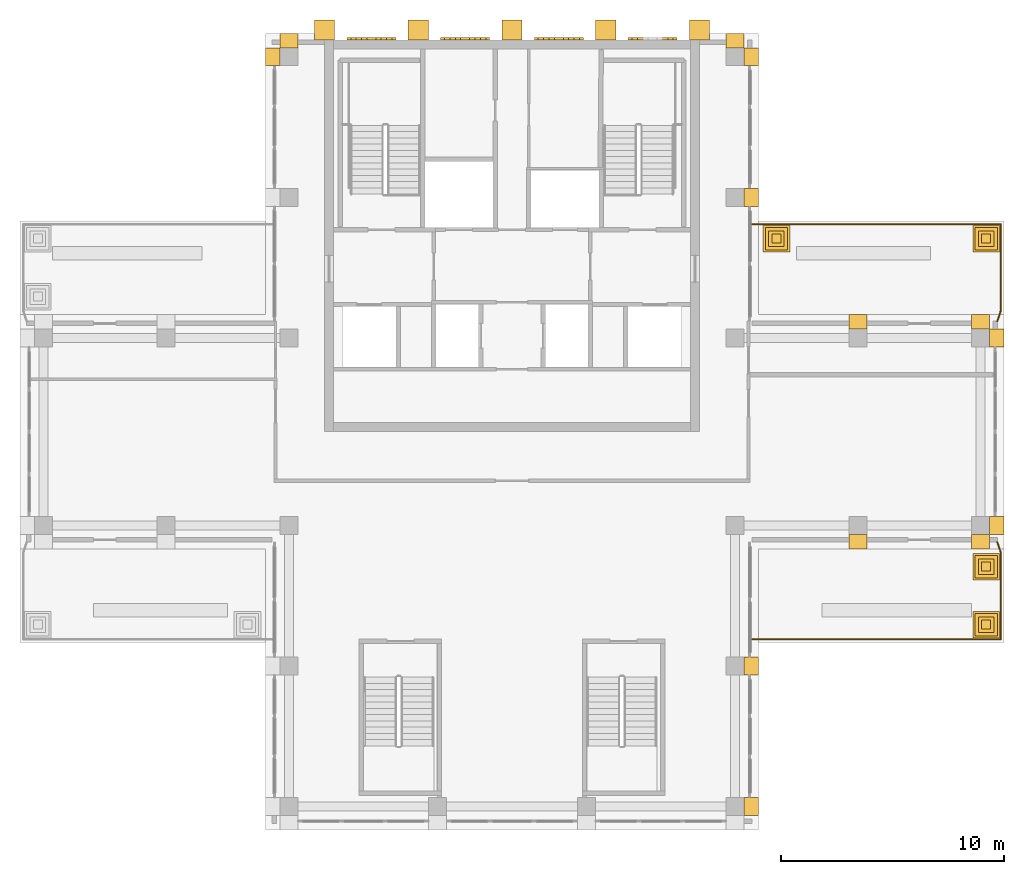
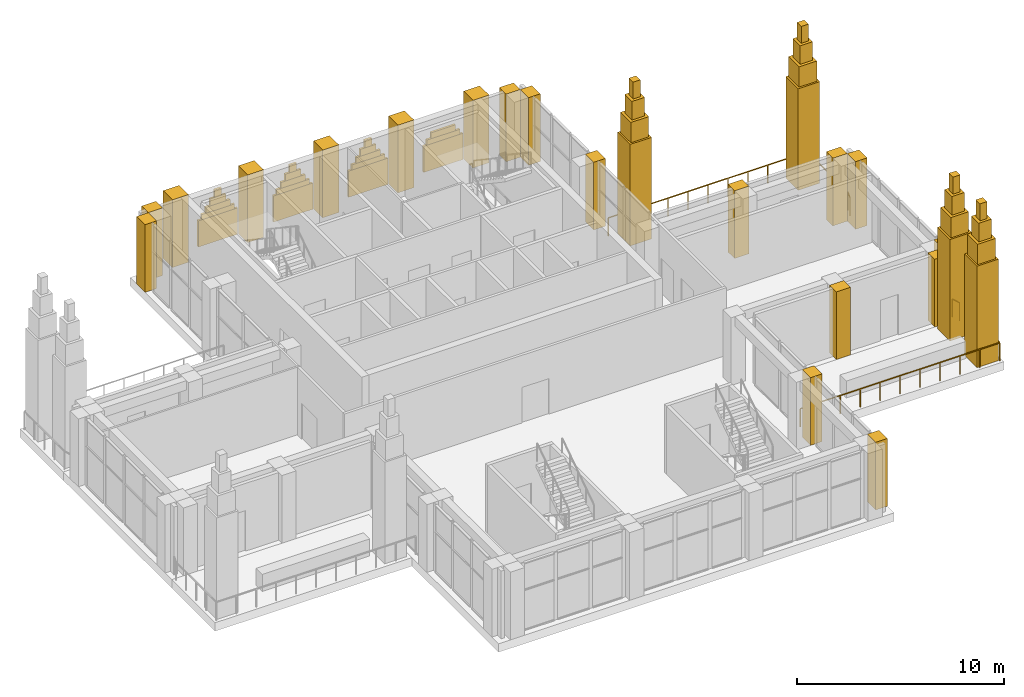
# One storey, part 13 of 14: 52 coverings, 6 railings.
"""IFC4 building model written with IfcOpenShell, lengths in metres."""

import ifcopenshell
import ifcopenshell.guid

model = None  # the IFC model being written
_history = None  # IfcOwnerHistory: only IFC2X3 demands one
_inside = {}  # id of a spatial element -> (the spatial element, [elements in it])
_under = {}  # id of a project, library or spatial element -> (it, [spatial elements below it])
_declared = {}  # id of a project -> (the project, [libraries it declares])
_typed = {}  # id of a type object -> (the type object, [elements of that type])
_made_of = {}  # id of a material, layer set ... -> (it, [elements and type objects made of it])


def new_model(schema):
    """Start an empty IFC model of exactly this schema.

    Asked for "IFC4X3", IfcOpenShell would pick the latest addendum, in which some entities
    have other attributes; the version numbers below select the first issue.
    IFC2X3 requires an IfcOwnerHistory on every rooted entity: one is made here for all.
    """
    global model, _history
    if schema == "IFC4X3":
        model = ifcopenshell.file(schema_version=(4, 3, 0, 0))
    else:
        model = ifcopenshell.file(schema=schema)
    _inside.clear()
    _under.clear()
    _declared.clear()
    _typed.clear()
    _made_of.clear()
    _history = None
    if model.schema == "IFC2X3":
        org = make("IfcOrganization", Name="unknown")
        user = make(
            "IfcPersonAndOrganization",
            ThePerson=make("IfcPerson", FamilyName="unknown"),
            TheOrganization=org,
        )
        app = make(
            "IfcApplication",
            ApplicationDeveloper=org,
            Version="unknown",
            ApplicationFullName="unknown",
            ApplicationIdentifier="unknown",
        )
        _history = make(
            "IfcOwnerHistory",
            OwningUser=user,
            OwningApplication=app,
            ChangeAction="ADDED",
            CreationDate=0,
        )
    return model


def make(cls, **values):
    """One entity of the class cls with the attributes given. An attribute that is None is left unset."""
    return model.create_entity(
        cls, **{name: value for name, value in values.items() if value is not None}
    )


def rooted(cls, **values):
    """An entity with a GlobalId (a new one), such as an element, a storey or a relation."""
    return make(cls, GlobalId=ifcopenshell.guid.new(), OwnerHistory=_history, **values)


def si_unit(unit_type, name, prefix=None):
    """IfcSIUnit, for example si_unit("LENGTHUNIT", "METRE", prefix="MILLI")."""
    return make("IfcSIUnit", UnitType=unit_type, Prefix=prefix, Name=name)


def assignment(units):
    """IfcUnitAssignment: the units of a project."""
    return None if units is None else make("IfcUnitAssignment", Units=units)


def point(xyz):
    """IfcCartesianPoint."""
    return None if xyz is None else make("IfcCartesianPoint", Coordinates=xyz)


def direction(xyz):
    """IfcDirection."""
    return None if xyz is None else make("IfcDirection", DirectionRatios=xyz)


def frame(location, z_axis=None, x_axis=None):
    """IfcAxis2Placement3D, a coordinate frame: its origin and axes. An axis left out is left unset."""
    return make(
        "IfcAxis2Placement3D",
        Location=point(location),
        Axis=direction(z_axis),
        RefDirection=direction(x_axis),
    )


def frame_2d(location, x_axis=None):
    """IfcAxis2Placement2D, a coordinate frame in the plane: its origin and x axis."""
    return make(
        "IfcAxis2Placement2D", Location=point(location), RefDirection=direction(x_axis)
    )


def origin():
    """The frame at (0, 0, 0) with its axes left unset."""
    return frame((0.0, 0.0, 0.0))


def origin_2d():
    """The frame at (0, 0) in the plane with its x axis left unset."""
    return frame_2d((0.0, 0.0))


def place(relative_to, where):
    """IfcLocalPlacement: puts the frame where relative to a parent placement (None: the world)."""
    return make(
        "IfcLocalPlacement", PlacementRelTo=relative_to, RelativePlacement=where
    )


def context(
    kind, dimensions, precision=None, world=None, true_north=None, identifier=None
):
    """IfcGeometricRepresentationContext, for example the 3D "Model" context."""
    return make(
        "IfcGeometricRepresentationContext",
        ContextIdentifier=identifier,
        ContextType=kind,
        CoordinateSpaceDimension=dimensions,
        Precision=precision,
        WorldCoordinateSystem=world,
        TrueNorth=true_north,
    )


def subcontext(parent, identifier, kind, view, scale=None):
    """IfcGeometricRepresentationSubContext, for example "Body" below "Model"."""
    return make(
        "IfcGeometricRepresentationSubContext",
        ContextIdentifier=identifier,
        ContextType=kind,
        ParentContext=parent,
        TargetScale=scale,
        TargetView=view,
    )


def project(units=None, contexts=None):
    """IfcProject with its units and contexts."""
    return rooted(
        "IfcProject",
        Name="project",
        RepresentationContexts=contexts,
        UnitsInContext=assignment(units),
    )


def spatial(cls, under=None, at=None, **own):
    """A site, building, storey or space (cls), placed at a placement, below another one or the project."""
    s = rooted(cls, ObjectPlacement=at, **own)
    if under is not None:
        _under.setdefault(under.id(), (under, []))[1].append(s)
    return s


def polyline(points):
    """IfcPolyline through the points."""
    return make("IfcPolyline", Points=[point(p) for p in points])


def profile(cls, at=None, kind="AREA", **sizes):
    """A parametric profile (cls). Its sizes go by their IFC names, for example OverallWidth=200.0."""
    return make(cls, ProfileType=kind, Position=at, **sizes)


def rectangle(**sizes):
    """IfcRectangleProfileDef."""
    return profile("IfcRectangleProfileDef", **sizes)


def outline(outer, holes=None, kind="AREA"):
    """IfcArbitraryClosedProfileDef: a profile drawn as a closed curve; with holes, ...WithVoids."""
    if holes is None:
        return make("IfcArbitraryClosedProfileDef", ProfileType=kind, OuterCurve=outer)
    return make(
        "IfcArbitraryProfileDefWithVoids",
        ProfileType=kind,
        OuterCurve=outer,
        InnerCurves=holes,
    )


def extrude(swept, where, along, depth):
    """IfcExtrudedAreaSolid: the profile swept, set in the frame where, extruded along a direction by depth."""
    return make(
        "IfcExtrudedAreaSolid",
        SweptArea=swept,
        Position=where,
        ExtrudedDirection=direction(along),
        Depth=depth,
    )


def shape(context_of_items, identifier, shape_type, items):
    """IfcShapeRepresentation: the items that make up one representation, for example the "Body"."""
    return make(
        "IfcShapeRepresentation",
        ContextOfItems=context_of_items,
        RepresentationIdentifier=identifier,
        RepresentationType=shape_type,
        Items=items,
    )


def material(Name=None, Category=None):
    """IfcMaterial."""
    return make("IfcMaterial", Name=Name, Category=Category)


def made_of(thing, what):
    """Note that an element or type object is made of a material, layer set ...; save() writes the relation."""
    if what is not None:
        _made_of.setdefault(what.id(), (what, []))[1].append(thing)
    return thing


def type_object(cls, material=None, **own):
    """A type object (cls), such as IfcWallType, which elements share."""
    return made_of(rooted(cls, **own), material)


def element(
    cls,
    number,
    at=None,
    inside=None,
    cuts=None,
    type_object=None,
    material=None,
    context=None,
    identifier="Body",
    shape_type=None,
    held_by="IfcProductDefinitionShape",
    body=None,
    shapes=None,
    **own,
):
    """One element of the class cls, such as IfcWall. Its Tag is "e" and its number.

    at: its placement. inside: the storey or other place that contains it. cuts: it is an
    opening in that element (IfcRelVoidsElement). A single representation is given by context,
    identifier, shape_type and body (its items); several are given by shapes. held_by: the class
    of the entity that holds the representations. save() writes the other relations.
    """
    e = rooted(cls, Tag="e%d" % number, ObjectPlacement=at, **own)
    if body is not None:
        shapes = [shape(context, identifier, shape_type, body)]
    if shapes is not None:
        e.Representation = make(held_by, Representations=shapes)
    if inside is not None:
        _inside.setdefault(inside.id(), (inside, []))[1].append(e)
    if cuts is not None:
        rooted(
            "IfcRelVoidsElement", RelatingBuildingElement=cuts, RelatedOpeningElement=e
        )
    if type_object is not None:
        _typed.setdefault(type_object.id(), (type_object, []))[1].append(e)
    return made_of(e, material)


def aggregate(whole, parts):
    """IfcRelAggregates: a whole, such as a stair, and the parts it consists of."""
    return rooted("IfcRelAggregates", RelatingObject=whole, RelatedObjects=parts)


def save(model, path):
    """Write the relations noted so far, then the file.

    IfcRelAggregates (storeys below a building ...), IfcRelContainedInSpatialStructure (elements
    in a storey), IfcRelDefinesByType, IfcRelAssociatesMaterial and IfcRelDeclares: one each for
    every whole, place, type object, material and project.
    """
    for whole, parts in _under.values():
        aggregate(whole, parts)
    for where, things in _inside.values():
        rooted(
            "IfcRelContainedInSpatialStructure",
            RelatedElements=things,
            RelatingStructure=where,
        )
    for kind, things in _typed.values():
        rooted("IfcRelDefinesByType", RelatedObjects=things, RelatingType=kind)
    for what, things in _made_of.values():
        rooted("IfcRelAssociatesMaterial", RelatedObjects=things, RelatingMaterial=what)
    for by, libraries in _declared.values():
        rooted("IfcRelDeclares", RelatingContext=by, RelatedDefinitions=libraries)
    model.write(path)


model = new_model("IFC4")

# Units and contexts
model_context = context("Model", 3, precision=1e-05, world=origin(), true_north=direction((0.0, 1.0)))
body_context = subcontext(model_context, "Body", "Model", "MODEL_VIEW")
ifc_project = project(units=[si_unit("LENGTHUNIT", "METRE"), si_unit("AREAUNIT", "SQUARE_METRE"), si_unit("VOLUMEUNIT", "CUBIC_METRE"), si_unit("PLANEANGLEUNIT", "RADIAN"), si_unit("MASSUNIT", "GRAM", prefix="KILO")], contexts=[model_context])

# Site, building, storey
site_placement = place(None, origin())
site = spatial("IfcSite", under=ifc_project, at=site_placement, CompositionType="ELEMENT")
building_placement = place(site_placement, origin())
building = spatial("IfcBuilding", under=site, at=building_placement, Name="Vermilion Ogive Tower", CompositionType="ELEMENT")
storey_placement = place(building_placement, frame((0.0, 0.0, 284.85009765625)))
storey = spatial("IfcBuildingStorey", under=building, at=storey_placement, Name="L74", CompositionType="ELEMENT", Elevation=284.85009765625)

# Coverings
ifc_material_1 = material(Name="Stone cladding", Category="masonry")
covering_type_1 = type_object("IfcCoveringType", Name="Core buttress pier", PredefinedType="CLADDING", material=ifc_material_1)
covering_1_placement = place(storey_placement, origin())
element("IfcCovering", 1, at=covering_1_placement, inside=storey, type_object=covering_type_1, Name="Buttress pier L74 N1", PredefinedType="CLADDING", context=body_context, shape_type="SweptSolid", body=[
    extrude(outline(polyline([(-8.85009765625, 21.75), (-7.949951171875, 21.75), (-7.949951171875, 22.64990234375), (-8.85009765625, 22.64990234375), (-8.85009765625, 21.75)])), origin(), (0.0, 0.0, 1.0), 4.0),
])
covering_2_placement = place(storey_placement, origin())
element("IfcCovering", 2, at=covering_2_placement, inside=storey, type_object=covering_type_1, Name="Buttress pier L74 N2", PredefinedType="CLADDING", context=body_context, shape_type="SweptSolid", body=[
    extrude(outline(polyline([(-4.64990234375, 21.75), (-3.75, 21.75), (-3.75, 22.64990234375), (-4.64990234375, 22.64990234375), (-4.64990234375, 21.75)])), origin(), (0.0, 0.0, 1.0), 4.0),
])
covering_3_placement = place(storey_placement, origin())
element("IfcCovering", 3, at=covering_3_placement, inside=storey, type_object=covering_type_1, Name="Buttress pier L74 N3", PredefinedType="CLADDING", context=body_context, shape_type="SweptSolid", body=[
    extrude(outline(polyline([(-0.449951171875, 21.75), (0.449951171875, 21.75), (0.449951171875, 22.64990234375), (-0.449951171875, 22.64990234375), (-0.449951171875, 21.75)])), origin(), (0.0, 0.0, 1.0), 4.0),
])
covering_4_placement = place(storey_placement, origin())
element("IfcCovering", 4, at=covering_4_placement, inside=storey, type_object=covering_type_1, Name="Buttress pier L74 N4", PredefinedType="CLADDING", context=body_context, shape_type="SweptSolid", body=[
    extrude(outline(polyline([(3.75, 21.75), (4.64990234375, 21.75), (4.64990234375, 22.64990234375), (3.75, 22.64990234375), (3.75, 21.75)])), origin(), (0.0, 0.0, 1.0), 4.0),
])
covering_5_placement = place(storey_placement, origin())
element("IfcCovering", 5, at=covering_5_placement, inside=storey, type_object=covering_type_1, Name="Buttress pier L74 N5", PredefinedType="CLADDING", context=body_context, shape_type="SweptSolid", body=[
    extrude(outline(polyline([(7.949951171875, 21.75), (8.85009765625, 21.75), (8.85009765625, 22.64990234375), (7.949951171875, 22.64990234375), (7.949951171875, 21.75)])), origin(), (0.0, 0.0, 1.0), 4.0),
])
ifc_material_2 = material(Name="Stone cladding", Category="masonry")
covering_type_2 = type_object("IfcCoveringType", Name="Lancet panel", PredefinedType="CLADDING", material=ifc_material_2)
covering_6_placement = place(storey_placement, frame((0.0, 0.0, 0.699951171875)))
element("IfcCovering", 6, at=covering_6_placement, inside=storey, type_object=covering_type_2, Name="Lancet panel L74N1A", PredefinedType="CLADDING", context=body_context, shape_type="SweptSolid", body=[
    extrude(outline(polyline([(-7.39990234375, 21.75), (-5.199951171875, 21.75), (-5.199951171875, 21.8701171875), (-7.39990234375, 21.8701171875), (-7.39990234375, 21.75)])), origin(), (0.0, 0.0, 1.0), 1.550048828125),
])
covering_7_placement = place(storey_placement, frame((0.0, 0.0, 2.25)))
element("IfcCovering", 7, at=covering_7_placement, inside=storey, type_object=covering_type_2, Name="Lancet panel L74N1B", PredefinedType="CLADDING", context=body_context, shape_type="SweptSolid", body=[
    extrude(outline(polyline([(-7.22412109375, 21.75), (-5.3759765625, 21.75), (-5.3759765625, 21.8701171875), (-7.22412109375, 21.8701171875), (-7.22412109375, 21.75)])), origin(), (0.0, 0.0, 1.0), 0.2998046875),
])
covering_8_placement = place(storey_placement, frame((0.0, 0.0, 2.5498046875)))
element("IfcCovering", 8, at=covering_8_placement, inside=storey, type_object=covering_type_2, Name="Lancet panel L74N1C", PredefinedType="CLADDING", context=body_context, shape_type="SweptSolid", body=[
    extrude(outline(polyline([(-6.98193359375, 21.75), (-5.617919921875, 21.75), (-5.617919921875, 21.8701171875), (-6.98193359375, 21.8701171875), (-6.98193359375, 21.75)])), origin(), (0.0, 0.0, 1.0), 0.35009765625),
])
covering_9_placement = place(storey_placement, frame((0.0, 0.0, 2.89990234375)))
element("IfcCovering", 9, at=covering_9_placement, inside=storey, type_object=covering_type_2, Name="Lancet panel L74N1D", PredefinedType="CLADDING", context=body_context, shape_type="SweptSolid", body=[
    extrude(outline(polyline([(-6.739990234375, 21.75), (-5.860107421875, 21.75), (-5.860107421875, 21.8701171875), (-6.739990234375, 21.8701171875), (-6.739990234375, 21.75)])), origin(), (0.0, 0.0, 1.0), 0.39990234375),
])
covering_10_placement = place(storey_placement, frame((0.0, 0.0, 3.2998046875)))
element("IfcCovering", 10, at=covering_10_placement, inside=storey, type_object=covering_type_2, Name="Lancet panel L74N1E", PredefinedType="CLADDING", context=body_context, shape_type="SweptSolid", body=[
    extrude(outline(polyline([(-6.498046875, 21.75), (-6.10205078125, 21.75), (-6.10205078125, 21.8701171875), (-6.498046875, 21.8701171875), (-6.498046875, 21.75)])), origin(), (0.0, 0.0, 1.0), 0.4501953125),
])
covering_11_placement = place(storey_placement, frame((0.0, 0.0, 0.699951171875)))
element("IfcCovering", 11, at=covering_11_placement, inside=storey, type_object=covering_type_2, Name="Lancet panel L74N2A", PredefinedType="CLADDING", context=body_context, shape_type="SweptSolid", body=[
    extrude(outline(polyline([(-3.199951171875, 21.75), (-1.0, 21.75), (-1.0, 21.8701171875), (-3.199951171875, 21.8701171875), (-3.199951171875, 21.75)])), origin(), (0.0, 0.0, 1.0), 1.550048828125),
])
covering_12_placement = place(storey_placement, frame((0.0, 0.0, 2.25)))
element("IfcCovering", 12, at=covering_12_placement, inside=storey, type_object=covering_type_2, Name="Lancet panel L74N2B", PredefinedType="CLADDING", context=body_context, shape_type="SweptSolid", body=[
    extrude(outline(polyline([(-3.02392578125, 21.75), (-1.176025390625, 21.75), (-1.176025390625, 21.8701171875), (-3.02392578125, 21.8701171875), (-3.02392578125, 21.75)])), origin(), (0.0, 0.0, 1.0), 0.2998046875),
])
covering_13_placement = place(storey_placement, frame((0.0, 0.0, 2.5498046875)))
element("IfcCovering", 13, at=covering_13_placement, inside=storey, type_object=covering_type_2, Name="Lancet panel L74N2C", PredefinedType="CLADDING", context=body_context, shape_type="SweptSolid", body=[
    extrude(outline(polyline([(-2.781982421875, 21.75), (-1.41796875, 21.75), (-1.41796875, 21.8701171875), (-2.781982421875, 21.8701171875), (-2.781982421875, 21.75)])), origin(), (0.0, 0.0, 1.0), 0.35009765625),
])
covering_14_placement = place(storey_placement, frame((0.0, 0.0, 2.89990234375)))
element("IfcCovering", 14, at=covering_14_placement, inside=storey, type_object=covering_type_2, Name="Lancet panel L74N2D", PredefinedType="CLADDING", context=body_context, shape_type="SweptSolid", body=[
    extrude(outline(polyline([(-2.5400390625, 21.75), (-1.659912109375, 21.75), (-1.659912109375, 21.8701171875), (-2.5400390625, 21.8701171875), (-2.5400390625, 21.75)])), origin(), (0.0, 0.0, 1.0), 0.39990234375),
])
covering_15_placement = place(storey_placement, frame((0.0, 0.0, 3.2998046875)))
element("IfcCovering", 15, at=covering_15_placement, inside=storey, type_object=covering_type_2, Name="Lancet panel L74N2E", PredefinedType="CLADDING", context=body_context, shape_type="SweptSolid", body=[
    extrude(outline(polyline([(-2.298095703125, 21.75), (-1.902099609375, 21.75), (-1.902099609375, 21.8701171875), (-2.298095703125, 21.8701171875), (-2.298095703125, 21.75)])), origin(), (0.0, 0.0, 1.0), 0.4501953125),
])
covering_16_placement = place(storey_placement, frame((0.0, 0.0, 0.699951171875)))
element("IfcCovering", 16, at=covering_16_placement, inside=storey, type_object=covering_type_2, Name="Lancet panel L74N3A", PredefinedType="CLADDING", context=body_context, shape_type="SweptSolid", body=[
    extrude(outline(polyline([(1.0, 21.75), (3.199951171875, 21.75), (3.199951171875, 21.8701171875), (1.0, 21.8701171875), (1.0, 21.75)])), origin(), (0.0, 0.0, 1.0), 1.550048828125),
])
covering_17_placement = place(storey_placement, frame((0.0, 0.0, 2.25)))
element("IfcCovering", 17, at=covering_17_placement, inside=storey, type_object=covering_type_2, Name="Lancet panel L74N3B", PredefinedType="CLADDING", context=body_context, shape_type="SweptSolid", body=[
    extrude(outline(polyline([(1.176025390625, 21.75), (3.02392578125, 21.75), (3.02392578125, 21.8701171875), (1.176025390625, 21.8701171875), (1.176025390625, 21.75)])), origin(), (0.0, 0.0, 1.0), 0.2998046875),
])
covering_18_placement = place(storey_placement, frame((0.0, 0.0, 2.5498046875)))
element("IfcCovering", 18, at=covering_18_placement, inside=storey, type_object=covering_type_2, Name="Lancet panel L74N3C", PredefinedType="CLADDING", context=body_context, shape_type="SweptSolid", body=[
    extrude(outline(polyline([(1.41796875, 21.75), (2.781982421875, 21.75), (2.781982421875, 21.8701171875), (1.41796875, 21.8701171875), (1.41796875, 21.75)])), origin(), (0.0, 0.0, 1.0), 0.35009765625),
])
covering_19_placement = place(storey_placement, frame((0.0, 0.0, 2.89990234375)))
element("IfcCovering", 19, at=covering_19_placement, inside=storey, type_object=covering_type_2, Name="Lancet panel L74N3D", PredefinedType="CLADDING", context=body_context, shape_type="SweptSolid", body=[
    extrude(outline(polyline([(1.659912109375, 21.75), (2.5400390625, 21.75), (2.5400390625, 21.8701171875), (1.659912109375, 21.8701171875), (1.659912109375, 21.75)])), origin(), (0.0, 0.0, 1.0), 0.39990234375),
])
covering_20_placement = place(storey_placement, frame((0.0, 0.0, 3.2998046875)))
element("IfcCovering", 20, at=covering_20_placement, inside=storey, type_object=covering_type_2, Name="Lancet panel L74N3E", PredefinedType="CLADDING", context=body_context, shape_type="SweptSolid", body=[
    extrude(outline(polyline([(1.902099609375, 21.75), (2.298095703125, 21.75), (2.298095703125, 21.8701171875), (1.902099609375, 21.8701171875), (1.902099609375, 21.75)])), origin(), (0.0, 0.0, 1.0), 0.4501953125),
])
covering_21_placement = place(storey_placement, frame((0.0, 0.0, 0.699951171875)))
element("IfcCovering", 21, at=covering_21_placement, inside=storey, type_object=covering_type_2, Name="Lancet panel L74N4A", PredefinedType="CLADDING", context=body_context, shape_type="SweptSolid", body=[
    extrude(outline(polyline([(5.199951171875, 21.75), (7.39990234375, 21.75), (7.39990234375, 21.8701171875), (5.199951171875, 21.8701171875), (5.199951171875, 21.75)])), origin(), (0.0, 0.0, 1.0), 1.550048828125),
])
covering_22_placement = place(storey_placement, frame((0.0, 0.0, 2.25)))
element("IfcCovering", 22, at=covering_22_placement, inside=storey, type_object=covering_type_2, Name="Lancet panel L74N4B", PredefinedType="CLADDING", context=body_context, shape_type="SweptSolid", body=[
    extrude(outline(polyline([(5.3759765625, 21.75), (7.22412109375, 21.75), (7.22412109375, 21.8701171875), (5.3759765625, 21.8701171875), (5.3759765625, 21.75)])), origin(), (0.0, 0.0, 1.0), 0.2998046875),
])
covering_23_placement = place(storey_placement, frame((0.0, 0.0, 2.5498046875)))
element("IfcCovering", 23, at=covering_23_placement, inside=storey, type_object=covering_type_2, Name="Lancet panel L74N4C", PredefinedType="CLADDING", context=body_context, shape_type="SweptSolid", body=[
    extrude(outline(polyline([(5.617919921875, 21.75), (6.98193359375, 21.75), (6.98193359375, 21.8701171875), (5.617919921875, 21.8701171875), (5.617919921875, 21.75)])), origin(), (0.0, 0.0, 1.0), 0.35009765625),
])
ifc_material_3 = material(Name="Stone cladding", Category="masonry")
covering_type_3 = type_object("IfcCoveringType", Name="Stone pier", PredefinedType="CLADDING", material=ifc_material_3)
covering_24_placement = place(storey_placement, origin())
element("IfcCovering", 24, at=covering_24_placement, inside=storey, type_object=covering_type_3, Name="Stone pier P+0100+147", PredefinedType="CLADDING", context=body_context, shape_type="SweptSolid", body=[
    extrude(outline(polyline([(11.050048828125, 15.10009765625), (11.050048828125, 14.300048828125), (10.39990234375, 14.300048828125), (10.39990234375, 15.10009765625), (11.050048828125, 15.10009765625)])), origin(), (0.0, 0.0, 1.0), 4.0),
])
covering_25_placement = place(storey_placement, origin())
element("IfcCovering", 25, at=covering_25_placement, inside=storey, type_object=covering_type_3, Name="Stone pier P+0100+210X4", PredefinedType="CLADDING", context=body_context, shape_type="SweptSolid", body=[
    extrude(outline(polyline([(11.050048828125, 21.39990234375), (11.050048828125, 20.60009765625), (10.39990234375, 20.60009765625), (10.39990234375, 21.39990234375), (11.050048828125, 21.39990234375)])), origin(), (0.0, 0.0, 1.0), 4.0),
])
covering_26_placement = place(storey_placement, origin())
element("IfcCovering", 26, at=covering_26_placement, inside=storey, type_object=covering_type_3, Name="Stone pier P+0100+210N1", PredefinedType="CLADDING", context=body_context, shape_type="SweptSolid", body=[
    extrude(outline(polyline([(10.39990234375, 22.050048828125), (10.39990234375, 21.39990234375), (9.60009765625, 21.39990234375), (9.60009765625, 22.050048828125), (10.39990234375, 22.050048828125)])), origin(), (0.0, 0.0, 1.0), 4.0),
])
covering_27_placement = place(storey_placement, origin())
element("IfcCovering", 27, at=covering_27_placement, inside=storey, type_object=covering_type_3, Name="Stone pier P+0100-063", PredefinedType="CLADDING", context=body_context, shape_type="SweptSolid", body=[
    extrude(outline(polyline([(11.050048828125, -5.89990234375), (11.050048828125, -6.699951171875), (10.39990234375, -6.699951171875), (10.39990234375, -5.89990234375), (11.050048828125, -5.89990234375)])), origin(), (0.0, 0.0, 1.0), 4.0),
])
covering_28_placement = place(storey_placement, origin())
element("IfcCovering", 28, at=covering_28_placement, inside=storey, type_object=covering_type_3, Name="Stone pier P+0100-126X1", PredefinedType="CLADDING", context=body_context, shape_type="SweptSolid", body=[
    extrude(outline(polyline([(11.050048828125, -13.0), (10.39990234375, -13.0), (10.39990234375, -12.199951171875), (11.050048828125, -12.199951171875), (11.050048828125, -13.0)])), origin(), (0.0, 0.0, 1.0), 4.0),
])
covering_29_placement = place(storey_placement, origin())
element("IfcCovering", 29, at=covering_29_placement, inside=storey, type_object=covering_type_3, Name="Stone pier P+0155+000", PredefinedType="CLADDING", context=body_context, shape_type="SweptSolid", body=[
    extrude(outline(polyline([(15.89990234375, -1.050048828125), (15.10009765625, -1.050048828125), (15.10009765625, -0.39990234375), (15.89990234375, -0.39990234375), (15.89990234375, -1.050048828125)])), origin(), (0.0, 0.0, 1.0), 4.0),
])
covering_30_placement = place(storey_placement, origin())
element("IfcCovering", 30, at=covering_30_placement, inside=storey, type_object=covering_type_3, Name="Stone pier P+0155+084", PredefinedType="CLADDING", context=body_context, shape_type="SweptSolid", body=[
    extrude(outline(polyline([(15.10009765625, 9.449951171875), (15.89990234375, 9.449951171875), (15.89990234375, 8.800048828125), (15.10009765625, 8.800048828125), (15.10009765625, 9.449951171875)])), origin(), (0.0, 0.0, 1.0), 4.0),
])
covering_31_placement = place(storey_placement, origin())
element("IfcCovering", 31, at=covering_31_placement, inside=storey, type_object=covering_type_3, Name="Stone pier P+0210+000X2", PredefinedType="CLADDING", context=body_context, shape_type="SweptSolid", body=[
    extrude(outline(polyline([(21.39990234375, -1.050048828125), (20.60009765625, -1.050048828125), (20.60009765625, -0.39990234375), (21.39990234375, -0.39990234375), (21.39990234375, -1.050048828125)])), origin(), (0.0, 0.0, 1.0), 4.0),
])
covering_32_placement = place(storey_placement, origin())
element("IfcCovering", 32, at=covering_32_placement, inside=storey, type_object=covering_type_3, Name="Stone pier P+0210+000E", PredefinedType="CLADDING", context=body_context, shape_type="SweptSolid", body=[
    extrude(outline(polyline([(22.050048828125, -0.39990234375), (21.39990234375, -0.39990234375), (21.39990234375, 0.39990234375), (22.050048828125, 0.39990234375), (22.050048828125, -0.39990234375)])), origin(), (0.0, 0.0, 1.0), 4.0),
])
covering_33_placement = place(storey_placement, origin())
element("IfcCovering", 33, at=covering_33_placement, inside=storey, type_object=covering_type_3, Name="Stone pier P+0210+084E", PredefinedType="CLADDING", context=body_context, shape_type="SweptSolid", body=[
    extrude(outline(polyline([(22.050048828125, 8.800048828125), (22.050048828125, 8.0), (21.39990234375, 8.0), (21.39990234375, 8.800048828125), (22.050048828125, 8.800048828125)])), origin(), (0.0, 0.0, 1.0), 4.0),
])
covering_34_placement = place(storey_placement, origin())
element("IfcCovering", 34, at=covering_34_placement, inside=storey, type_object=covering_type_3, Name="Stone pier P+0210+084X3", PredefinedType="CLADDING", context=body_context, shape_type="SweptSolid", body=[
    extrude(outline(polyline([(21.39990234375, 9.449951171875), (21.39990234375, 8.800048828125), (20.60009765625, 8.800048828125), (20.60009765625, 9.449951171875), (21.39990234375, 9.449951171875)])), origin(), (0.0, 0.0, 1.0), 4.0),
])
covering_35_placement = place(storey_placement, origin())
element("IfcCovering", 35, at=covering_35_placement, inside=storey, type_object=covering_type_3, Name="Stone pier P-0100+210N2", PredefinedType="CLADDING", context=body_context, shape_type="SweptSolid", body=[
    extrude(outline(polyline([(-10.39990234375, 22.050048828125), (-9.60009765625, 22.050048828125), (-9.60009765625, 21.39990234375), (-10.39990234375, 21.39990234375), (-10.39990234375, 22.050048828125)])), origin(), (0.0, 0.0, 1.0), 4.0),
])
covering_36_placement = place(storey_placement, origin())
element("IfcCovering", 36, at=covering_36_placement, inside=storey, type_object=covering_type_3, Name="Stone pier P-0100+210X5", PredefinedType="CLADDING", context=body_context, shape_type="SweptSolid", body=[
    extrude(outline(polyline([(-11.050048828125, 21.39990234375), (-10.39990234375, 21.39990234375), (-10.39990234375, 20.60009765625), (-11.050048828125, 20.60009765625), (-11.050048828125, 21.39990234375)])), origin(), (0.0, 0.0, 1.0), 4.0),
])
ifc_material_4 = material(Name="Stone cladding", Category="masonry")
covering_type_4 = type_object("IfcCoveringType", Name="Stone pinnacle", PredefinedType="CLADDING", material=ifc_material_4)
covering_37_placement = place(storey_placement, origin())
element("IfcCovering", 37, at=covering_37_placement, inside=storey, type_object=covering_type_4, Name="Stone pinnacle L743111A", PredefinedType="CLADDING", context=body_context, shape_type="SweptSolid", body=[
    extrude(outline(polyline([(20.64990234375, 12.25), (21.85009765625, 12.25), (21.85009765625, 13.449951171875), (20.64990234375, 13.449951171875), (20.64990234375, 12.25)])), origin(), (0.0, 0.0, 1.0), 6.0),
])
covering_38_placement = place(storey_placement, frame((0.0, 0.0, 6.0)))
element("IfcCovering", 38, at=covering_38_placement, inside=storey, type_object=covering_type_4, Name="Stone pinnacle L743111B", PredefinedType="CLADDING", context=body_context, shape_type="SweptSolid", body=[
    extrude(outline(polyline([(20.75, 12.35009765625), (21.75, 12.35009765625), (21.75, 13.35009765625), (20.75, 13.35009765625), (20.75, 12.35009765625)])), origin(), (0.0, 0.0, 1.0), 1.199951171875),
])
covering_39_placement = place(storey_placement, frame((0.0, 0.0, 7.199951171875)))
element("IfcCovering", 39, at=covering_39_placement, inside=storey, type_object=covering_type_4, Name="Stone pinnacle L743111C", PredefinedType="CLADDING", context=body_context, shape_type="SweptSolid", body=[
    extrude(outline(polyline([(20.89990234375, 12.5), (21.60009765625, 12.5), (21.60009765625, 13.199951171875), (20.89990234375, 13.199951171875), (20.89990234375, 12.5)])), origin(), (0.0, 0.0, 1.0), 1.099853515625),
])
covering_40_placement = place(storey_placement, frame((0.0, 0.0, 8.2998046875)))
element("IfcCovering", 40, at=covering_40_placement, inside=storey, type_object=covering_type_4, Name="Stone pinnacle L743111D", PredefinedType="CLADDING", context=body_context, shape_type="SweptSolid", body=[
    extrude(outline(polyline([(21.050048828125, 12.64990234375), (21.449951171875, 12.64990234375), (21.449951171875, 13.050048828125), (21.050048828125, 13.050048828125), (21.050048828125, 12.64990234375)])), origin(), (0.0, 0.0, 1.0), 1.0),
])
covering_41_placement = place(storey_placement, origin())
element("IfcCovering", 41, at=covering_41_placement, inside=storey, type_object=covering_type_4, Name="Stone pinnacle L743141A", PredefinedType="CLADDING", context=body_context, shape_type="SweptSolid", body=[
    extrude(outline(polyline([(11.25, 12.25), (12.449951171875, 12.25), (12.449951171875, 13.449951171875), (11.25, 13.449951171875), (11.25, 12.25)])), origin(), (0.0, 0.0, 1.0), 6.0),
])
covering_42_placement = place(storey_placement, frame((0.0, 0.0, 6.0)))
element("IfcCovering", 42, at=covering_42_placement, inside=storey, type_object=covering_type_4, Name="Stone pinnacle L743141B", PredefinedType="CLADDING", context=body_context, shape_type="SweptSolid", body=[
    extrude(outline(polyline([(11.35009765625, 12.35009765625), (12.35009765625, 12.35009765625), (12.35009765625, 13.35009765625), (11.35009765625, 13.35009765625), (11.35009765625, 12.35009765625)])), origin(), (0.0, 0.0, 1.0), 1.199951171875),
])
covering_43_placement = place(storey_placement, frame((0.0, 0.0, 7.199951171875)))
element("IfcCovering", 43, at=covering_43_placement, inside=storey, type_object=covering_type_4, Name="Stone pinnacle L743141C", PredefinedType="CLADDING", context=body_context, shape_type="SweptSolid", body=[
    extrude(outline(polyline([(11.5, 12.5), (12.199951171875, 12.5), (12.199951171875, 13.199951171875), (11.5, 13.199951171875), (11.5, 12.5)])), origin(), (0.0, 0.0, 1.0), 1.099853515625),
])
covering_44_placement = place(storey_placement, frame((0.0, 0.0, 8.2998046875)))
element("IfcCovering", 44, at=covering_44_placement, inside=storey, type_object=covering_type_4, Name="Stone pinnacle L743141D", PredefinedType="CLADDING", context=body_context, shape_type="SweptSolid", body=[
    extrude(outline(polyline([(11.64990234375, 12.64990234375), (12.050048828125, 12.64990234375), (12.050048828125, 13.050048828125), (11.64990234375, 13.050048828125), (11.64990234375, 12.64990234375)])), origin(), (0.0, 0.0, 1.0), 1.0),
])
covering_45_placement = place(storey_placement, origin())
element("IfcCovering", 45, at=covering_45_placement, inside=storey, type_object=covering_type_4, Name="Stone pinnacle L744111A", PredefinedType="CLADDING", context=body_context, shape_type="SweptSolid", body=[
    extrude(outline(polyline([(20.64990234375, -5.050048828125), (21.85009765625, -5.050048828125), (21.85009765625, -3.85009765625), (20.64990234375, -3.85009765625), (20.64990234375, -5.050048828125)])), origin(), (0.0, 0.0, 1.0), 6.0),
])
covering_46_placement = place(storey_placement, frame((0.0, 0.0, 6.0)))
element("IfcCovering", 46, at=covering_46_placement, inside=storey, type_object=covering_type_4, Name="Stone pinnacle L744111B", PredefinedType="CLADDING", context=body_context, shape_type="SweptSolid", body=[
    extrude(outline(polyline([(20.75, -4.949951171875), (21.75, -4.949951171875), (21.75, -3.949951171875), (20.75, -3.949951171875), (20.75, -4.949951171875)])), origin(), (0.0, 0.0, 1.0), 1.199951171875),
])
covering_47_placement = place(storey_placement, frame((0.0, 0.0, 7.199951171875)))
element("IfcCovering", 47, at=covering_47_placement, inside=storey, type_object=covering_type_4, Name="Stone pinnacle L744111C", PredefinedType="CLADDING", context=body_context, shape_type="SweptSolid", body=[
    extrude(outline(polyline([(20.89990234375, -4.800048828125), (21.60009765625, -4.800048828125), (21.60009765625, -4.10009765625), (20.89990234375, -4.10009765625), (20.89990234375, -4.800048828125)])), origin(), (0.0, 0.0, 1.0), 1.099853515625),
])
covering_48_placement = place(storey_placement, frame((0.0, 0.0, 8.2998046875)))
element("IfcCovering", 48, at=covering_48_placement, inside=storey, type_object=covering_type_4, Name="Stone pinnacle L744111D", PredefinedType="CLADDING", context=body_context, shape_type="SweptSolid", body=[
    extrude(outline(polyline([(21.050048828125, -4.64990234375), (21.449951171875, -4.64990234375), (21.449951171875, -4.25), (21.050048828125, -4.25), (21.050048828125, -4.64990234375)])), origin(), (0.0, 0.0, 1.0), 1.0),
])
covering_49_placement = place(storey_placement, origin())
element("IfcCovering", 49, at=covering_49_placement, inside=storey, type_object=covering_type_4, Name="Stone pinnacle L744141A", PredefinedType="CLADDING", context=body_context, shape_type="SweptSolid", body=[
    extrude(outline(polyline([(20.64990234375, -2.449951171875), (21.85009765625, -2.449951171875), (21.85009765625, -1.25), (20.64990234375, -1.25), (20.64990234375, -2.449951171875)])), origin(), (0.0, 0.0, 1.0), 6.0),
])
covering_50_placement = place(storey_placement, frame((0.0, 0.0, 6.0)))
element("IfcCovering", 50, at=covering_50_placement, inside=storey, type_object=covering_type_4, Name="Stone pinnacle L744141B", PredefinedType="CLADDING", context=body_context, shape_type="SweptSolid", body=[
    extrude(outline(polyline([(20.75, -2.35009765625), (21.75, -2.35009765625), (21.75, -1.35009765625), (20.75, -1.35009765625), (20.75, -2.35009765625)])), origin(), (0.0, 0.0, 1.0), 1.199951171875),
])
covering_51_placement = place(storey_placement, frame((0.0, 0.0, 7.199951171875)))
element("IfcCovering", 51, at=covering_51_placement, inside=storey, type_object=covering_type_4, Name="Stone pinnacle L744141C", PredefinedType="CLADDING", context=body_context, shape_type="SweptSolid", body=[
    extrude(outline(polyline([(20.89990234375, -2.199951171875), (21.60009765625, -2.199951171875), (21.60009765625, -1.5), (20.89990234375, -1.5), (20.89990234375, -2.199951171875)])), origin(), (0.0, 0.0, 1.0), 1.099853515625),
])
covering_52_placement = place(storey_placement, frame((0.0, 0.0, 8.2998046875)))
element("IfcCovering", 52, at=covering_52_placement, inside=storey, type_object=covering_type_4, Name="Stone pinnacle L744141D", PredefinedType="CLADDING", context=body_context, shape_type="SweptSolid", body=[
    extrude(outline(polyline([(21.050048828125, -2.050048828125), (21.449951171875, -2.050048828125), (21.449951171875, -1.64990234375), (21.050048828125, -1.64990234375), (21.050048828125, -2.050048828125)])), origin(), (0.0, 0.0, 1.0), 1.0),
])

# Railings
ifc_material_5 = material(Name="Stainless steel and glass", Category="steel")
railing_type = type_object("IfcRailingType", Name="Terrace guard", PredefinedType="GUARDRAIL", material=ifc_material_5)
railing_1_placement = place(storey_placement, frame((10.75, 13.5, 0.0)))
element("IfcRailing", 53, at=railing_1_placement, inside=storey, type_object=railing_type, Name="Terrace guard 3.1", PredefinedType="GUARDRAIL", context=body_context, shape_type="SweptSolid", body=[
    extrude(rectangle(XDim=0.048095703125, YDim=0.048095703125, at=origin_2d()), frame((0.0, 0.0, 1.076171875), z_axis=(1.0, 0.0, 0.0), x_axis=(0.0, 1.0, 0.0)), (0.0, 0.0, 1.0), 11.14990234375),
    extrude(rectangle(XDim=0.0419921875, YDim=0.0419921875, at=origin_2d()), origin(), (0.0, 0.0, 1.0), 1.052001953125),
    extrude(rectangle(XDim=0.0419921875, YDim=0.0419921875, at=origin_2d()), frame((1.114990234375, 0.0, 0.0)), (0.0, 0.0, 1.0), 1.052001953125),
    extrude(rectangle(XDim=0.0419921875, YDim=0.0419921875, at=origin_2d()), frame((2.22998046875, 0.0, 0.0)), (0.0, 0.0, 1.0), 1.052001953125),
    extrude(rectangle(XDim=0.0419921875, YDim=0.0419921875, at=origin_2d()), frame((3.344970703125, 0.0, 0.0)), (0.0, 0.0, 1.0), 1.052001953125),
    extrude(rectangle(XDim=0.0419921875, YDim=0.0419921875, at=origin_2d()), frame((4.4599609375, 0.0, 0.0)), (0.0, 0.0, 1.0), 1.052001953125),
    extrude(rectangle(XDim=0.0419921875, YDim=0.0419921875, at=origin_2d()), frame((5.574951171875, 0.0, 0.0)), (0.0, 0.0, 1.0), 1.052001953125),
    extrude(rectangle(XDim=0.0419921875, YDim=0.0419921875, at=origin_2d()), frame((6.68994140625, 0.0, 0.0)), (0.0, 0.0, 1.0), 1.052001953125),
    extrude(rectangle(XDim=0.0419921875, YDim=0.0419921875, at=origin_2d()), frame((7.804931640625, 0.0, 0.0)), (0.0, 0.0, 1.0), 1.052001953125),
    extrude(rectangle(XDim=0.0419921875, YDim=0.0419921875, at=origin_2d()), frame((8.919921875, 0.0, 0.0)), (0.0, 0.0, 1.0), 1.052001953125),
    extrude(rectangle(XDim=0.0419921875, YDim=0.0419921875, at=origin_2d()), frame((10.034912109375, 0.0, 0.0)), (0.0, 0.0, 1.0), 1.052001953125),
    extrude(rectangle(XDim=0.0419921875, YDim=0.0419921875, at=origin_2d()), frame((11.14990234375, 0.0, 0.0)), (0.0, 0.0, 1.0), 1.052001953125),
])
railing_2_placement = place(storey_placement, frame((21.89990234375, 13.5, 0.0)))
element("IfcRailing", 54, at=railing_2_placement, inside=storey, type_object=railing_type, Name="Terrace guard 3.1.2", PredefinedType="GUARDRAIL", context=body_context, shape_type="SweptSolid", body=[
    extrude(rectangle(XDim=0.048095703125, YDim=0.048095703125, at=origin_2d()), frame((0.0, 0.0, 1.076171875), z_axis=(0.0, -1.0, 0.0), x_axis=(1.0, 0.0, 0.0)), (0.0, 0.0, 1.0), 3.89990234375),
    extrude(rectangle(XDim=0.0419921875, YDim=0.0419921875, at=origin_2d()), origin(), (0.0, 0.0, 1.0), 1.052001953125),
    extrude(rectangle(XDim=0.0419921875, YDim=0.0419921875, at=origin_2d()), frame((0.0, -0.97509765625, 0.0)), (0.0, 0.0, 1.0), 1.052001953125),
    extrude(rectangle(XDim=0.0419921875, YDim=0.0419921875, at=origin_2d()), frame((0.0, -1.949951171875, 0.0)), (0.0, 0.0, 1.0), 1.052001953125),
    extrude(rectangle(XDim=0.0419921875, YDim=0.0419921875, at=origin_2d()), frame((0.0, -2.9248046875, 0.0)), (0.0, 0.0, 1.0), 1.052001953125),
    extrude(rectangle(XDim=0.0419921875, YDim=0.0419921875, at=origin_2d()), frame((0.0, -3.89990234375, 0.0)), (0.0, 0.0, 1.0), 1.052001953125),
])
railing_3_placement = place(storey_placement, frame((21.89990234375, 9.60009765625, 0.0)))
element("IfcRailing", 55, at=railing_3_placement, inside=storey, type_object=railing_type, Name="Terrace guard 3.1.3", PredefinedType="GUARDRAIL", context=body_context, shape_type="SweptSolid", body=[
    extrude(rectangle(XDim=0.048095703125, YDim=0.048095703125, at=origin_2d()), frame((0.0, 0.0, 1.076171875), z_axis=(-0.315919033605, -0.948786153043, 0.0), x_axis=(0.948786153043, -0.315919033605, 0.0)), (0.0, 0.0, 1.0), 0.474609375),
    extrude(rectangle(XDim=0.0419921875, YDim=0.0419921875, at=origin_2d()), origin(), (0.0, 0.0, 1.0), 1.052001953125),
    extrude(rectangle(XDim=0.0419921875, YDim=0.0419921875, at=origin_2d()), frame((-0.14990234375, -0.4501953125, 0.0)), (0.0, 0.0, 1.0), 1.052001953125),
])
railing_4_placement = place(storey_placement, frame((21.75, -0.75, 0.0)))
element("IfcRailing", 56, at=railing_4_placement, inside=storey, type_object=railing_type, Name="Terrace guard 4.1", PredefinedType="GUARDRAIL", context=body_context, shape_type="SweptSolid", body=[
    extrude(rectangle(XDim=0.048095703125, YDim=0.048095703125, at=origin_2d()), frame((0.0, 0.0, 1.076171875), z_axis=(0.316073328604, -0.948734763221, 0.0), x_axis=(0.948734763221, 0.316073328604, 0.0)), (0.0, 0.0, 1.0), 0.474365234375),
    extrude(rectangle(XDim=0.0419921875, YDim=0.0419921875, at=origin_2d()), origin(), (0.0, 0.0, 1.0), 1.052001953125),
    extrude(rectangle(XDim=0.0419921875, YDim=0.0419921875, at=origin_2d()), frame((0.14990234375, -0.449951171875, 0.0)), (0.0, 0.0, 1.0), 1.052001953125),
])
railing_5_placement = place(storey_placement, frame((21.89990234375, -1.199951171875, 0.0)))
element("IfcRailing", 57, at=railing_5_placement, inside=storey, type_object=railing_type, Name="Terrace guard 4.1.2", PredefinedType="GUARDRAIL", context=body_context, shape_type="SweptSolid", body=[
    extrude(rectangle(XDim=0.048095703125, YDim=0.048095703125, at=origin_2d()), frame((0.0, 0.0, 1.076171875), z_axis=(0.0, -1.0, 0.0), x_axis=(1.0, 0.0, 0.0)), (0.0, 0.0, 1.0), 3.900146484375),
    extrude(rectangle(XDim=0.0419921875, YDim=0.0419921875, at=origin_2d()), origin(), (0.0, 0.0, 1.0), 1.052001953125),
    extrude(rectangle(XDim=0.0419921875, YDim=0.0419921875, at=origin_2d()), frame((0.0, -0.97509765625, 0.0)), (0.0, 0.0, 1.0), 1.052001953125),
    extrude(rectangle(XDim=0.0419921875, YDim=0.0419921875, at=origin_2d()), frame((0.0, -1.9501953125, 0.0)), (0.0, 0.0, 1.0), 1.052001953125),
    extrude(rectangle(XDim=0.0419921875, YDim=0.0419921875, at=origin_2d()), frame((0.0, -2.925048828125, 0.0)), (0.0, 0.0, 1.0), 1.052001953125),
    extrude(rectangle(XDim=0.0419921875, YDim=0.0419921875, at=origin_2d()), frame((0.0, -3.900146484375, 0.0)), (0.0, 0.0, 1.0), 1.052001953125),
])
railing_6_placement = place(storey_placement, frame((21.89990234375, -5.10009765625, 0.0)))
element("IfcRailing", 58, at=railing_6_placement, inside=storey, type_object=railing_type, Name="Terrace guard 4.1.3", PredefinedType="GUARDRAIL", context=body_context, shape_type="SweptSolid", body=[
    extrude(rectangle(XDim=0.048095703125, YDim=0.048095703125, at=origin_2d()), frame((0.0, 0.0, 1.076171875), z_axis=(-1.0, 0.0, 0.0), x_axis=(0.0, -1.0, 0.0)), (0.0, 0.0, 1.0), 11.14990234375),
    extrude(rectangle(XDim=0.0419921875, YDim=0.0419921875, at=origin_2d()), origin(), (0.0, 0.0, 1.0), 1.052001953125),
    extrude(rectangle(XDim=0.0419921875, YDim=0.0419921875, at=origin_2d()), frame((-1.114990234375, 0.0, 0.0)), (0.0, 0.0, 1.0), 1.052001953125),
    extrude(rectangle(XDim=0.0419921875, YDim=0.0419921875, at=origin_2d()), frame((-2.22998046875, 0.0, 0.0)), (0.0, 0.0, 1.0), 1.052001953125),
    extrude(rectangle(XDim=0.0419921875, YDim=0.0419921875, at=origin_2d()), frame((-3.344970703125, 0.0, 0.0)), (0.0, 0.0, 1.0), 1.052001953125),
    extrude(rectangle(XDim=0.0419921875, YDim=0.0419921875, at=origin_2d()), frame((-4.4599609375, 0.0, 0.0)), (0.0, 0.0, 1.0), 1.052001953125),
    extrude(rectangle(XDim=0.0419921875, YDim=0.0419921875, at=origin_2d()), frame((-5.574951171875, 0.0, 0.0)), (0.0, 0.0, 1.0), 1.052001953125),
    extrude(rectangle(XDim=0.0419921875, YDim=0.0419921875, at=origin_2d()), frame((-6.68994140625, 0.0, 0.0)), (0.0, 0.0, 1.0), 1.052001953125),
    extrude(rectangle(XDim=0.0419921875, YDim=0.0419921875, at=origin_2d()), frame((-7.804931640625, 0.0, 0.0)), (0.0, 0.0, 1.0), 1.052001953125),
    extrude(rectangle(XDim=0.0419921875, YDim=0.0419921875, at=origin_2d()), frame((-8.919921875, 0.0, 0.0)), (0.0, 0.0, 1.0), 1.052001953125),
    extrude(rectangle(XDim=0.0419921875, YDim=0.0419921875, at=origin_2d()), frame((-10.034912109375, 0.0, 0.0)), (0.0, 0.0, 1.0), 1.052001953125),
    extrude(rectangle(XDim=0.0419921875, YDim=0.0419921875, at=origin_2d()), frame((-11.14990234375, 0.0, 0.0)), (0.0, 0.0, 1.0), 1.052001953125),
])

save(model, "model.ifc")
